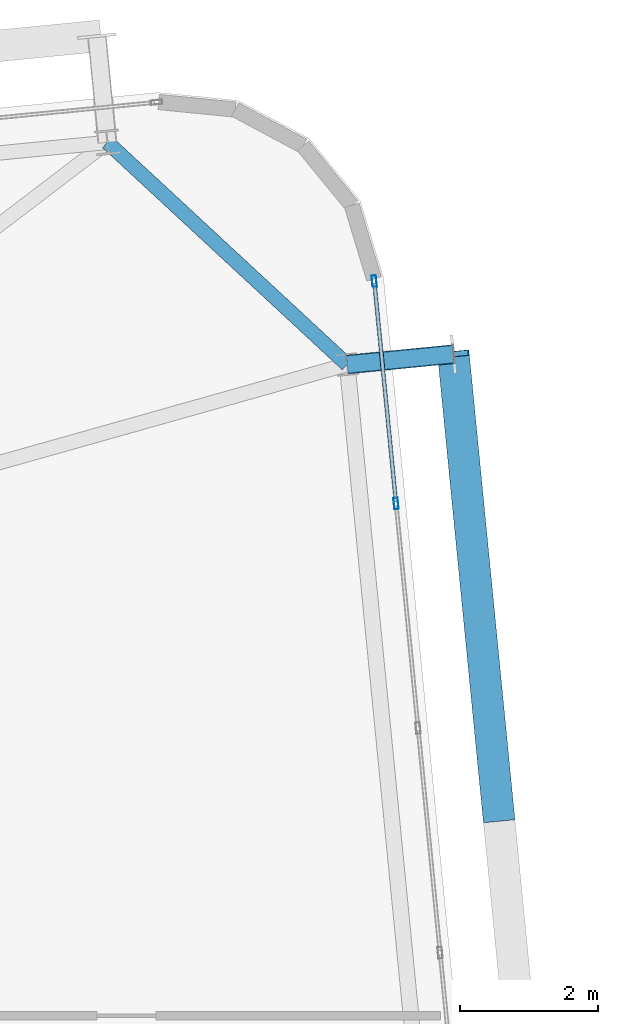
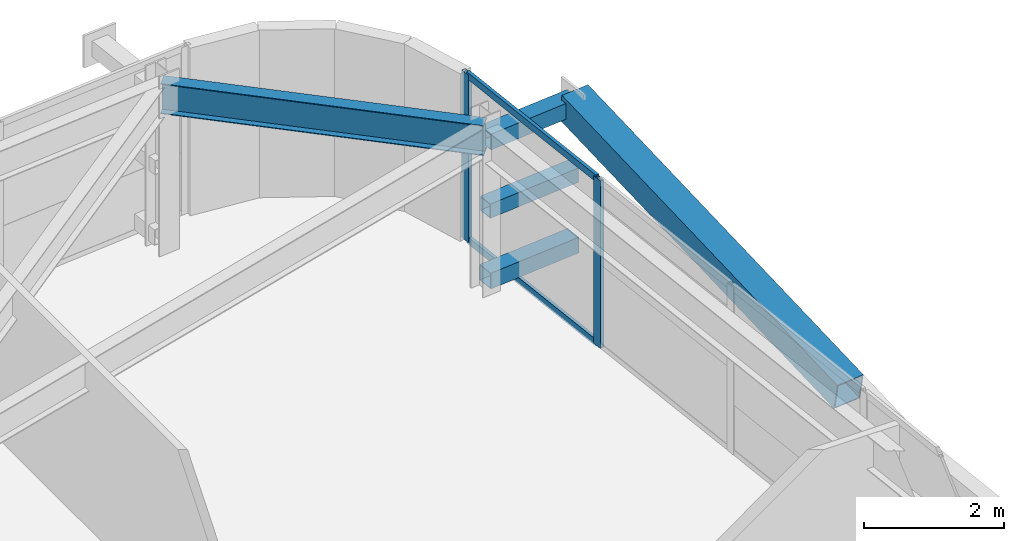
# One storey, part 32 of 51: 8 members, 1 beam, 1 element without a shape of its own.
"""IFC4 building model written with IfcOpenShell, lengths in metres."""

from ifc_helpers import new_model, si_unit, direction, frame, origin, origin_2d, place, context, subcontext, project, spatial, hollow_rectangle, i_section, extrude, source, transform, mapped, material, layer, layer_set, material_profile, profile_set, type_object, element, aggregate, save


model = new_model("IFC4")

# Units and contexts
model_context = context("Model", 3, precision=1e-05, world=origin(), true_north=direction((0.0, 1.0)))
body_context = subcontext(model_context, "Body", "Model", "MODEL_VIEW")
ifc_project = project(units=[si_unit("LENGTHUNIT", "METRE"), si_unit("AREAUNIT", "SQUARE_METRE"), si_unit("VOLUMEUNIT", "CUBIC_METRE"), si_unit("PLANEANGLEUNIT", "RADIAN"), si_unit("MASSUNIT", "GRAM", prefix="KILO")], contexts=[model_context])

# Site, building, storey
site_placement = place(None, origin())
site = spatial("IfcSite", under=ifc_project, at=site_placement, CompositionType="ELEMENT")
building_placement = place(site_placement, origin())
building = spatial("IfcBuilding", under=site, at=building_placement, Name="Taldren Reach Tower", CompositionType="ELEMENT")
storey_placement = place(building_placement, frame((0.0, 0.0, 65.10009765625)))
storey = spatial("IfcBuildingStorey", under=building, at=storey_placement, Name="L19", CompositionType="ELEMENT", Elevation=65.10009765625)

# Beam
ifc_material_1 = material(Name="Steel Gr 350 (350PLUS)", Category="steel")
ifc_material_profile_1 = material_profile(ifc_material_1, i_section(OverallWidth=0.208984375, OverallDepth=0.528076171875, WebThickness=0.009521484375, FlangeThickness=0.01318359375, at=origin_2d()), Name="530UB82.0")
ifc_profile_set_1 = profile_set([ifc_material_profile_1], Name="Steel Gr 350 (350PLUS)")
beam_type = type_object("IfcBeamType", Name="SP-UB530B", PredefinedType="SPANDREL", material=ifc_profile_set_1)
shared_shape_1 = source(origin(), body_context, "Body", "SweptSolid", [
    extrude(i_section(OverallWidth=0.208984375, OverallDepth=0.528076171875, WebThickness=0.009521484375, FlangeThickness=0.01318359375, at=origin_2d()), origin(), (0.0, 0.0, 1.0), 4.74609375),
])
beam_placement = place(storey_placement, frame((63.247314453125, 35.454345703125, 2.666015625), z_axis=(-0.733547883762, 0.679637772809, 0.0), x_axis=(-0.679637772809, -0.733547883762, 0.0)))
element("IfcBeam", 1, at=beam_placement, inside=storey, type_object=beam_type, Name="Perimeter spandrel B2 E3-N6 L19", PredefinedType="SPANDREL", context=body_context, shape_type="MappedRepresentation", body=[
    mapped(shared_shape_1, transform((0.0, 0.0, 0.0), scale=1.0)),
])

# Members
ifc_material_2 = material(Name="Steel Gr 450 (C450L0)", Category="steel")
ifc_material_profile_2 = material_profile(ifc_material_2, hollow_rectangle(XDim=0.27490234375, YDim=0.27490234375, WallThickness=0.00927734375, at=origin_2d()), Name="275x275x9.3SHS")
ifc_profile_set_2 = profile_set([ifc_material_profile_2], Name="Steel Gr 450 (C450L0)")
member_type_1 = type_object("IfcMemberType", Name="MB-TIE273", PredefinedType="STRUT", material=ifc_profile_set_2)
shared_shape_2 = source(origin(), body_context, "Body", "SweptSolid", [
    extrude(hollow_rectangle(XDim=0.27490234375, YDim=0.27490234375, WallThickness=0.00927734375, at=origin_2d()), origin(), (0.0, 0.0, 1.0), 1.5498046875),
])
for number, where, z_axis, x_axis, name in (
    (2, (63.247314453125, 35.454345703125, 2.64990234375), (0.995234821595, 0.097507178627, 0.0), (-0.097507178627, 0.995234821595, 0.0), "Exoskeleton diaphragm tie strut B2-E3 L19"),
    (3, (63.247314453125, 35.454345703125, 0.219970703125), (0.995234821595, 0.097507178627, 0.0), (-0.097507178627, 0.995234821595, 0.0), "Exoskeleton base diaphragm tie strut B2-E3 L19"),
):
    element("IfcMember", number, at=place(storey_placement, frame(where, z_axis=z_axis, x_axis=x_axis)), inside=storey, type_object=member_type_1, Name=name, PredefinedType="STRUT", context=body_context, shape_type="MappedRepresentation", body=[
        mapped(shared_shape_2, transform((0.0, 0.0, 0.0), scale=1.0)),
    ])
ifc_material_3 = material(Name="Steel Gr 350 (C350L0)", Category="steel")
ifc_material_profile_3 = material_profile(ifc_material_3, hollow_rectangle(XDim=0.25, YDim=0.25, WallThickness=0.010009765625, at=origin_2d()), Name="250x250x10.0SHS")
ifc_profile_set_3 = profile_set([ifc_material_profile_3], Name="Steel Gr 350 (C350L0)")
member_type_2 = type_object("IfcMemberType", Name="MB-POST250", PredefinedType="POST", material=ifc_profile_set_3)
shared_shape_3 = source(origin(), body_context, "Body", "SweptSolid", [
    extrude(hollow_rectangle(XDim=0.25, YDim=0.25, WallThickness=0.010009765625, at=origin_2d()), origin(), (0.0, 0.0, 1.0), 1.5498046875),
])
member_1_placement = place(storey_placement, frame((63.247314453125, 35.454345703125, 1.434814453125), z_axis=(0.995234821595, 0.097507178627, 0.0), x_axis=(-0.097507178627, 0.995234821595, 0.0)))
element("IfcMember", 4, at=member_1_placement, inside=storey, type_object=member_type_2, Name="Exoskeleton mid-tier diaphragm tie B2-E3 L19", PredefinedType="POST", context=body_context, shape_type="MappedRepresentation", body=[
    mapped(shared_shape_3, transform((0.0, 0.0, 0.0), scale=1.0)),
])
ifc_material_profile_4 = material_profile(ifc_material_2, hollow_rectangle(XDim=0.4599609375, YDim=0.4599609375, WallThickness=0.01611328125, at=origin_2d()), Name="460x460x16.0SHS")
ifc_profile_set_4 = profile_set([ifc_material_profile_4], Name="Steel Gr 450 (C450L0)")
member_type_3 = type_object("IfcMemberType", Name="MB-EXO457", PredefinedType="BRACE", material=ifc_profile_set_4)
shared_shape_4 = source(origin(), body_context, "Body", "SweptSolid", [
    extrude(hollow_rectangle(XDim=0.4599609375, YDim=0.4599609375, WallThickness=0.01611328125, at=origin_2d()), origin(), (0.0, 0.0, 1.0), 6.883056640625),
])
member_2_placement = place(storey_placement, frame((65.450927734375, 28.86279296875, 1.434814453125), z_axis=(-0.09605145821, 0.97959718347, 0.176531797456), x_axis=(-0.995227290009, -0.097584021339, 0.0)))
element("IfcMember", 5, at=member_2_placement, inside=storey, type_object=member_type_3, Name="Exoskeleton Diagrid Brace B2-E2 L19", PredefinedType="BRACE", context=body_context, shape_type="MappedRepresentation", body=[
    mapped(shared_shape_4, transform((0.0, 0.0, 0.0), scale=1.0)),
])

# Curtain wall, members
ifc_material_4 = material(Name="Aluminium and Low-E Glass Unitised System", Category="aluminium")
ifc_layer = layer(ifc_material_4, 0.159912109375)
ifc_layer_set = layer_set([ifc_layer], Name="Aluminium and Low-E Glass Unitised System")
curtain_wall_type = type_object("IfcCurtainWallType", Name="CW-SYS-3", PredefinedType="NOTDEFINED", material=ifc_layer_set)
curtain_wall_placement = place(storey_placement, origin())
curtain_wall = element("IfcCurtainWall", 6, at=curtain_wall_placement, inside=storey, type_object=curtain_wall_type, Name="Unitised curtain wall CW-L19-E", PredefinedType="NOTDEFINED")
ifc_material_5 = material(Name="Anodised Aluminium 6063-T6", Category="aluminium")
ifc_material_profile_5 = material_profile(ifc_material_5, hollow_rectangle(XDim=0.06494140625, YDim=0.1650390625, WallThickness=0.00390625, at=origin_2d()), Name="ALU-165x65x4RHS")
ifc_profile_set_5 = profile_set([ifc_material_profile_5], Name="Anodised Aluminium 6063-T6")
member_type_4 = type_object("IfcMemberType", Name="CW-MUL-165", PredefinedType="MULLION", material=ifc_profile_set_5)
shared_shape_5 = source(origin(), body_context, "Body", "SweptSolid", [
    extrude(hollow_rectangle(XDim=0.06494140625, YDim=0.1650390625, WallThickness=0.00390625, at=origin_2d()), origin(), (0.0, 0.0, 1.0), 2.929931640625),
])
member_3_placement = place(storey_placement, frame((63.95751953125, 33.43603515625, 0.0), z_axis=(0.0, 0.0, 1.0), x_axis=(-0.99522741555, -0.09758274098, 0.0)))
member_3 = element("IfcMember", 7, at=member_3_placement, type_object=member_type_4, Name="CW-3 mullion 9", PredefinedType="MULLION", context=body_context, shape_type="MappedRepresentation", body=[
    mapped(shared_shape_5, transform((0.0, 0.0, 0.0), scale=1.0)),
])
member_4_placement = place(storey_placement, frame((63.640869140625, 36.666015625, 0.0), z_axis=(0.0, 0.0, 1.0), x_axis=(-0.99522741555, -0.09758274098, 0.0)))
member_4 = element("IfcMember", 8, at=member_4_placement, type_object=member_type_4, Name="CW-3 mullion 10", PredefinedType="MULLION", context=body_context, shape_type="MappedRepresentation", body=[
    mapped(shared_shape_5, transform((0.0, 0.0, 0.0), scale=1.0)),
])
ifc_material_profile_6 = material_profile(ifc_material_5, hollow_rectangle(XDim=0.054931640625, YDim=0.1201171875, WallThickness=0.0029296875, at=origin_2d()), Name="ALU-120x55x3RHS")
ifc_profile_set_6 = profile_set([ifc_material_profile_6], Name="Anodised Aluminium 6063-T6")
member_type_5 = type_object("IfcMemberType", Name="CW-TRN-135", PredefinedType="USERDEFINED", material=ifc_profile_set_6)
shared_shape_6 = source(origin(), body_context, "Body", "SweptSolid", [
    extrude(hollow_rectangle(XDim=0.054931640625, YDim=0.1201171875, WallThickness=0.0029296875, at=origin_2d()), origin(), (0.0, 0.0, 1.0), 3.18017578125),
])
member_5_placement = place(storey_placement, frame((63.954345703125, 33.468505859375, 0.02734375), z_axis=(-0.097572914968, 0.995228378949, 0.0), x_axis=(-0.995228378949, -0.097572914968, 0.0)))
member_5 = element("IfcMember", 9, at=member_5_placement, type_object=member_type_5, Name="CW-3 transom 9.1", ObjectType="TRANSOM", PredefinedType="USERDEFINED", context=body_context, shape_type="MappedRepresentation", body=[
    mapped(shared_shape_6, transform((0.0, 0.0, 0.0), scale=1.0)),
])
member_6_placement = place(storey_placement, frame((63.954345703125, 33.468505859375, 2.90234375), z_axis=(-0.097572914968, 0.995228378949, 0.0), x_axis=(-0.995228378949, -0.097572914968, 0.0)))
member_6 = element("IfcMember", 10, at=member_6_placement, type_object=member_type_5, Name="CW-3 transom 9.2", ObjectType="TRANSOM", PredefinedType="USERDEFINED", context=body_context, shape_type="MappedRepresentation", body=[
    mapped(shared_shape_6, transform((0.0, 0.0, 0.0), scale=1.0)),
])
aggregate(curtain_wall, [member_3, member_4, member_5, member_6])

save(model, "model.ifc")
